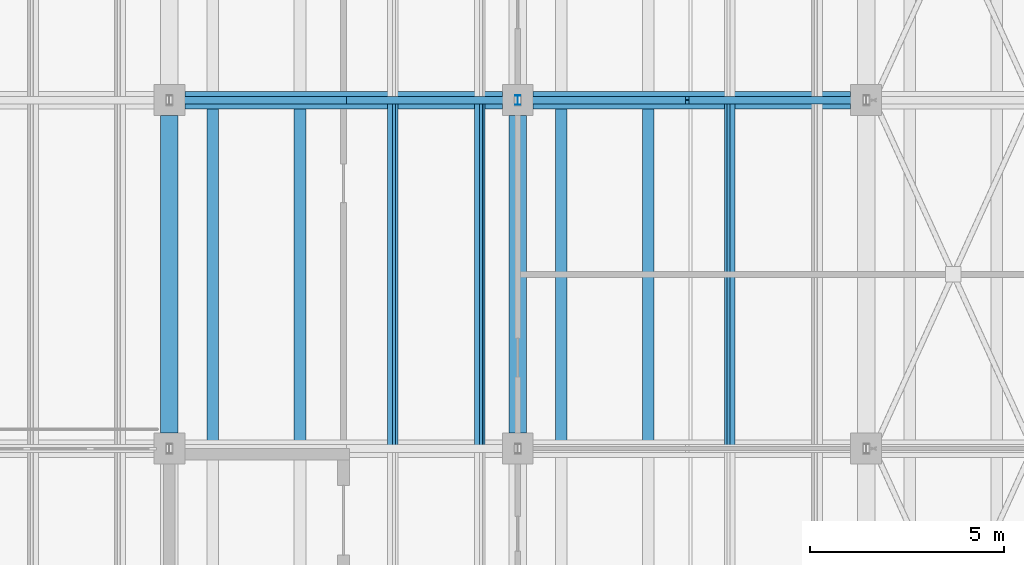
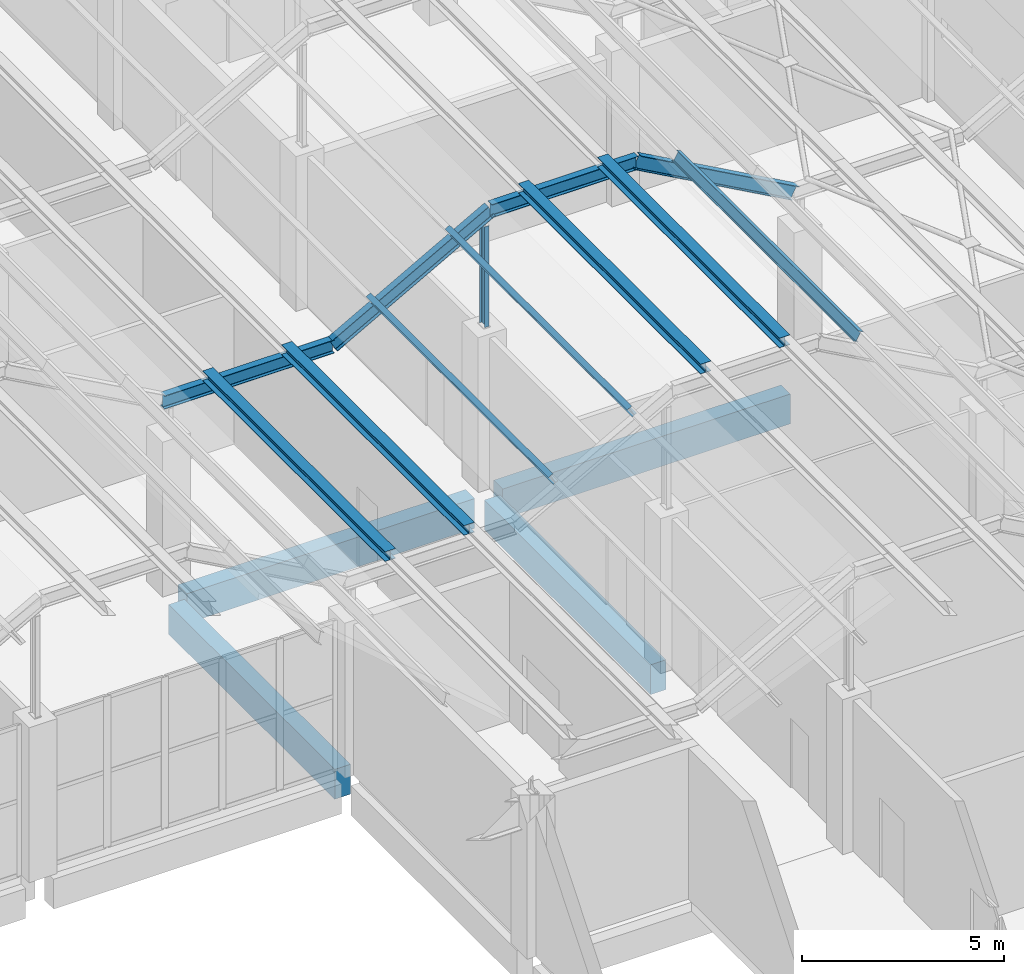
# One storey, part 40 of 437: 12 members, 4 beams.
"""IFC4 building model written with IfcOpenShell, lengths in metres."""

from ifc_helpers import new_model, si_unit, direction, frame, origin, origin_2d, place, context, subcontext, project, spatial, rectangle, i_section, extrude, material, material_profile, profile_set, type_object, element, save


model = new_model("IFC4")

# Units and contexts
model_context = context("Model", 3, precision=1e-05, world=origin(), true_north=direction((0.0, 1.0)))
body_context = subcontext(model_context, "Body", "Model", "MODEL_VIEW")
ifc_project = project(units=[si_unit("LENGTHUNIT", "METRE"), si_unit("AREAUNIT", "SQUARE_METRE"), si_unit("VOLUMEUNIT", "CUBIC_METRE"), si_unit("PLANEANGLEUNIT", "RADIAN"), si_unit("MASSUNIT", "GRAM", prefix="KILO")], contexts=[model_context])

# Site, building, storey
site_placement = place(None, origin())
site = spatial("IfcSite", under=ifc_project, at=site_placement, CompositionType="ELEMENT")
building_placement = place(site_placement, origin())
building = spatial("IfcBuilding", under=site, at=building_placement, Name="Opaline Strait Convention Centre", CompositionType="ELEMENT")
storey_placement = place(building_placement, frame((0.0, 0.0, 11.5)))
storey = spatial("IfcBuildingStorey", under=building, at=storey_placement, Name="L02", CompositionType="ELEMENT", Elevation=11.5)

# Members
ifc_material_1 = material(Name="Steel Q355B", Category="steel")
ifc_material_profile_1 = material_profile(ifc_material_1, i_section(OverallWidth=0.300048828125, OverallDepth=0.300048828125, WebThickness=0.010009765625, FlangeThickness=0.014892578125, FilletRadius=0.012939453125, at=origin_2d()), Name="HW 300x300x10x15")
ifc_profile_set_1 = profile_set([ifc_material_profile_1], Name="Steel Q355B")
member_type_1 = type_object("IfcMemberType", Name="Crest purlin HW 300x300x10x15", PredefinedType="PURLIN", material=ifc_profile_set_1)
for number, where, z_axis, x_axis, name in (
    (1, (55.125, 63.0, 5.949951171875), (0.0, 1.0, 0.0), (-1.0, 0.0, 0.0), "RU1 purlin facet 11 line 1"),
    (2, (57.375, 63.0, 5.949951171875), (0.0, 1.0, 0.0), (-1.0, 0.0, 0.0), "RU1 purlin facet 11 line 2"),
    (3, (64.125, 63.0, 8.449951171875), (0.0, 1.0, 0.0), (-1.0, 0.0, 0.0), "RU1 purlin facet 13 line 1"),
    (4, (66.375, 63.0, 8.449951171875), (0.0, 1.0, 0.0), (-1.0, 0.0, 0.0), "RU1 purlin facet 13 line 2"),
):
    element("IfcMember", number, at=place(storey_placement, frame(where, z_axis=z_axis, x_axis=x_axis)), inside=storey, type_object=member_type_1, Name=name, PredefinedType="PURLIN", context=body_context, shape_type="SweptSolid", body=[
        extrude(i_section(OverallWidth=0.300048828125, OverallDepth=0.300048828125, WebThickness=0.010009765625, FlangeThickness=0.014892578125, FilletRadius=0.012939453125, at=origin_2d()), origin(), (0.0, 0.0, 1.0), 9.0),
    ])

# Beams
ifc_material_2 = material(Name="Concrete C35", Category="concrete")
ifc_material_profile_2 = material_profile(ifc_material_2, rectangle(XDim=0.449951171875, YDim=0.89990234375, at=origin_2d()), Name="RC 450x900")
ifc_profile_set_2 = profile_set([ifc_material_profile_2], Name="Concrete C35")
beam_type = type_object("IfcBeamType", Name="RC beam 450x900 C35", PredefinedType="BEAM", material=ifc_profile_set_2)
for number, where, z_axis, x_axis, name in (
    (5, (54.39990234375, 72.0, -0.72998046875), (1.0, 0.0, 0.0), (0.0, 1.0, 0.0), "XB1 L02 54/72-63/72"),
    (6, (63.39990234375, 72.0, -0.72998046875), (1.0, 0.0, 0.0), (0.0, 1.0, 0.0), "XB1 L02 63/72-72/72"),
    (7, (54.0, 63.39990234375, -0.72998046875), (0.0, 1.0, 0.0), (-1.0, 0.0, 0.0), "XB1 L02 54/63-54/72"),
    (8, (63.0, 63.39990234375, -0.72998046875), (0.0, 1.0, 0.0), (-1.0, 0.0, 0.0), "XB1 L02 63/63-63/72"),
):
    element("IfcBeam", number, at=place(storey_placement, frame(where, z_axis=z_axis, x_axis=x_axis)), inside=storey, type_object=beam_type, Name=name, PredefinedType="BEAM", context=body_context, shape_type="SweptSolid", body=[
        extrude(rectangle(XDim=0.449951171875, YDim=0.89990234375, at=origin_2d()), origin(), (0.0, 0.0, 1.0), 8.2001953125),
    ])

# Members
ifc_material_profile_3 = material_profile(ifc_material_1, i_section(OverallWidth=0.125, OverallDepth=0.25, WebThickness=0.006103515625, FlangeThickness=0.009033203125, FilletRadius=0.008056640625, at=origin_2d()), Name="HN 250x125x6x9")
ifc_profile_set_3 = profile_set([ifc_material_profile_3], Name="Steel Q355B")
member_type_2 = type_object("IfcMemberType", Name="Roof post HN 250x125x6x9", PredefinedType="STRUT", material=ifc_profile_set_3)
member_1_placement = place(storey_placement, frame((63.0, 72.0, 4.68994140625), z_axis=(0.0, 0.0, 1.0), x_axis=(1.0, 0.0, 0.0)))
element("IfcMember", 9, at=member_1_placement, inside=storey, type_object=member_type_2, Name="RP1 roof post at 63/72", PredefinedType="STRUT", context=body_context, shape_type="SweptSolid", body=[
    extrude(i_section(OverallWidth=0.125, OverallDepth=0.25, WebThickness=0.006103515625, FlangeThickness=0.009033203125, FilletRadius=0.008056640625, at=origin_2d()), origin(), (0.0, 0.0, 1.0), 3.031005859375),
])
ifc_material_profile_4 = material_profile(ifc_material_1, i_section(OverallWidth=0.14990234375, OverallDepth=0.300048828125, WebThickness=0.006591796875, FlangeThickness=0.009033203125, FilletRadius=0.012939453125, at=origin_2d()), Name="HN 300x150x6.5x9")
ifc_profile_set_4 = profile_set([ifc_material_profile_4], Name="Steel Q355B")
member_type_3 = type_object("IfcMemberType", Name="Roof purlin HN 300x150x6.5x9", PredefinedType="PURLIN", material=ifc_profile_set_4)
for number, where, z_axis, x_axis, name in (
    (10, (59.770751953125, 63.0, 6.61279296875), (0.0, 1.0, 0.0), (-0.874157310866, 0.0, -0.485642868639), "RU1 purlin facet 12 line 1"),
    (11, (62.020751953125, 63.0, 7.86279296875), (0.0, 1.0, 0.0), (-0.874157310866, 0.0, -0.485642868639), "RU1 purlin facet 12 line 2"),
    (12, (68.479248046875, 63.0, 7.86279296875), (0.0, 1.0, 0.0), (-0.874157310866, 0.0, 0.485642868639), "RU1 purlin facet 14 line 1"),
):
    element("IfcMember", number, at=place(storey_placement, frame(where, z_axis=z_axis, x_axis=x_axis)), inside=storey, type_object=member_type_3, Name=name, PredefinedType="PURLIN", context=body_context, shape_type="SweptSolid", body=[
        extrude(i_section(OverallWidth=0.14990234375, OverallDepth=0.300048828125, WebThickness=0.006591796875, FlangeThickness=0.009033203125, FilletRadius=0.012939453125, at=origin_2d()), origin(), (0.0, 0.0, 1.0), 9.0),
    ])
ifc_material_profile_5 = material_profile(ifc_material_1, i_section(OverallWidth=0.199951171875, OverallDepth=0.39990234375, WebThickness=0.008056640625, FlangeThickness=0.012939453125, FilletRadius=0.012939453125, at=origin_2d()), Name="HN 400x200x8x13")
ifc_profile_set_5 = profile_set([ifc_material_profile_5], Name="Steel Q355B")
member_type_4 = type_object("IfcMemberType", Name="Roof rafter HN 400x200x8x13", PredefinedType="RAFTER", material=ifc_profile_set_5)
member_2_placement = place(storey_placement, frame((53.83154296875, 72.0, 5.60009765625), z_axis=(1.0, 0.0, 0.0), x_axis=(0.0, 1.0, 0.0)))
element("IfcMember", 13, at=member_2_placement, inside=storey, type_object=member_type_4, Name="RR1 rafter line 8 facet 12", PredefinedType="RAFTER", context=body_context, shape_type="SweptSolid", body=[
    extrude(i_section(OverallWidth=0.199951171875, OverallDepth=0.39990234375, WebThickness=0.008056640625, FlangeThickness=0.012939453125, FilletRadius=0.012939453125, at=origin_2d()), origin(), (0.0, 0.0, 1.0), 4.8369140625),
])
member_3_placement = place(storey_placement, frame((58.66845703125, 72.0, 5.60009765625), z_axis=(0.874157276122, 0.0, 0.485642931179), x_axis=(0.0, 1.0, 0.0)))
element("IfcMember", 14, at=member_3_placement, inside=storey, type_object=member_type_4, Name="RR1 rafter line 8 facet 13", PredefinedType="RAFTER", context=body_context, shape_type="SweptSolid", body=[
    extrude(i_section(OverallWidth=0.199951171875, OverallDepth=0.39990234375, WebThickness=0.008056640625, FlangeThickness=0.012939453125, FilletRadius=0.012939453125, at=origin_2d()), origin(), (0.0, 0.0, 1.0), 5.147705078125),
])
member_4_placement = place(storey_placement, frame((63.16845703125, 72.0, 8.10009765625), z_axis=(1.0, 0.0, 0.0), x_axis=(0.0, 1.0, 0.0)))
element("IfcMember", 15, at=member_4_placement, inside=storey, type_object=member_type_4, Name="RR1 rafter line 8 facet 14", PredefinedType="RAFTER", context=body_context, shape_type="SweptSolid", body=[
    extrude(i_section(OverallWidth=0.199951171875, OverallDepth=0.39990234375, WebThickness=0.008056640625, FlangeThickness=0.012939453125, FilletRadius=0.012939453125, at=origin_2d()), origin(), (0.0, 0.0, 1.0), 4.1630859375),
])
member_5_placement = place(storey_placement, frame((67.33154296875, 72.0, 8.10009765625), z_axis=(0.874157276122, 0.0, -0.485642931179), x_axis=(0.0, 1.0, 0.0)))
element("IfcMember", 16, at=member_5_placement, inside=storey, type_object=member_type_4, Name="RR1 rafter line 8 facet 15", PredefinedType="RAFTER", context=body_context, shape_type="SweptSolid", body=[
    extrude(i_section(OverallWidth=0.199951171875, OverallDepth=0.39990234375, WebThickness=0.008056640625, FlangeThickness=0.012939453125, FilletRadius=0.012939453125, at=origin_2d()), origin(), (0.0, 0.0, 1.0), 5.147705078125),
])

save(model, "model.ifc")
